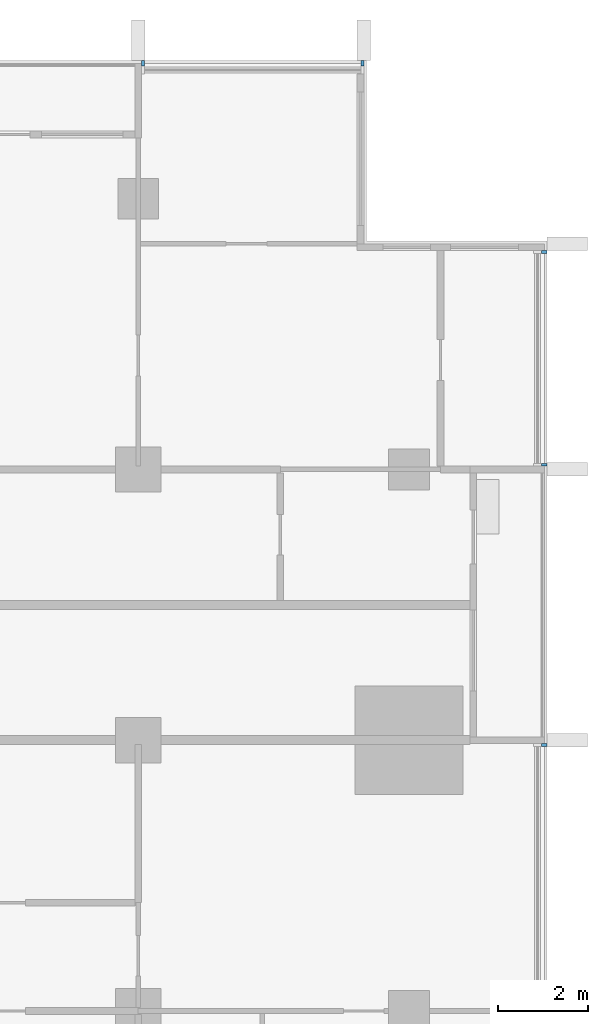
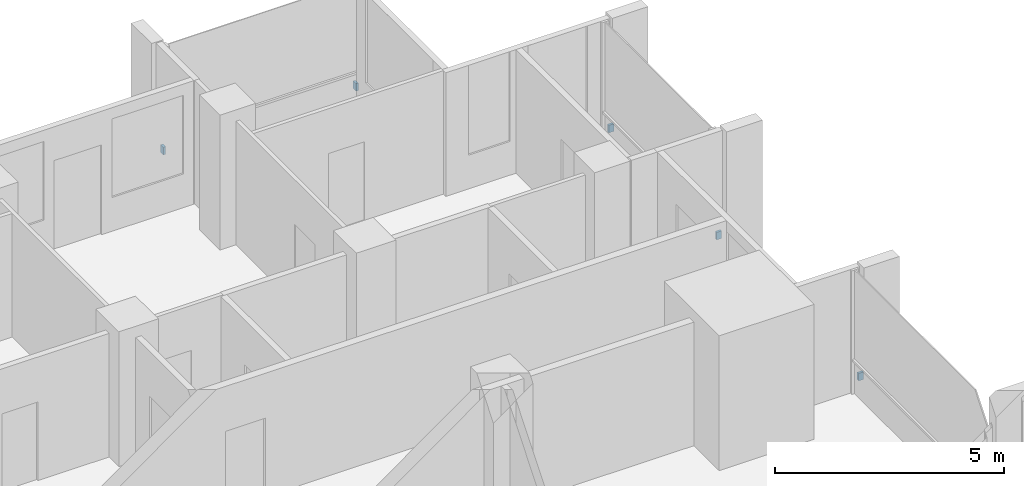
# One storey, part 16 of 17: 5 discrete accessories.
"""IFC4 building model written with IfcOpenShell, lengths in metres."""

from ifc_helpers import new_model, si_unit, direction, frame, origin, origin_2d, place, context, subcontext, project, spatial, rectangle, extrude, material, type_object, element, save


model = new_model("IFC4")

# Units and contexts
model_context = context("Model", 3, precision=1e-05, world=origin(), true_north=direction((0.0, 1.0)))
body_context = subcontext(model_context, "Body", "Model", "MODEL_VIEW")
ifc_project = project(units=[si_unit("LENGTHUNIT", "METRE"), si_unit("AREAUNIT", "SQUARE_METRE"), si_unit("VOLUMEUNIT", "CUBIC_METRE"), si_unit("PLANEANGLEUNIT", "RADIAN"), si_unit("MASSUNIT", "GRAM", prefix="KILO")], contexts=[model_context])

# Site, building, storey
site_placement = place(None, origin())
site = spatial("IfcSite", under=ifc_project, at=site_placement, CompositionType="ELEMENT")
building_placement = place(site_placement, origin())
building = spatial("IfcBuilding", under=site, at=building_placement, Name="Finial Court Residences", CompositionType="ELEMENT")
storey_placement = place(building_placement, frame((0.0, 0.0, 170.89990234375)))
storey = spatial("IfcBuildingStorey", under=building, at=storey_placement, Name="L42", CompositionType="ELEMENT", Elevation=170.89990234375)

# Discrete accessories
ifc_material = material(Name="Stainless steel 316", Category="steel")
discrete_accessory_type = type_object("IfcDiscreteAccessoryType", Name="Fin bracket, stainless steel 60 x 122 x 200", PredefinedType="BRACKET", material=ifc_material)
for number, where, z_axis, x_axis, name in (
    (1, (10.60498046875, 22.498779296875, 0.30029296875), (0.0, 0.0, 1.0), (1.0, 0.0, 0.0), "E-L42-FIN-N5-BRK"),
    (2, (15.469970703125, 22.498779296875, 0.30029296875), (0.0, 0.0, 1.0), (1.0, 0.0, 0.0), "E-L42-FIN-N6-BRK"),
):
    element("IfcDiscreteAccessory", number, at=place(storey_placement, frame(where, z_axis=z_axis, x_axis=x_axis)), inside=storey, type_object=discrete_accessory_type, Name=name, PredefinedType="BRACKET", context=body_context, shape_type="SweptSolid", body=[
        extrude(rectangle(XDim=0.06005859375, YDim=0.12255859375, at=origin_2d()), origin(), (0.0, 0.0, 1.0), 0.199951171875),
    ])
for number, where, z_axis, x_axis, name in (
    (3, (19.498779296875, 7.39501953125, 0.30029296875), (0.0, 0.0, 1.0), (1.0, 0.0, 0.0), "E-L42-FIN-E11-BRK"),
    (4, (19.498779296875, 13.60498046875, 0.30029296875), (0.0, 0.0, 1.0), (1.0, 0.0, 0.0), "E-L42-FIN-E12-BRK"),
    (5, (19.498779296875, 18.320068359375, 0.30029296875), (0.0, 0.0, 1.0), (1.0, 0.0, 0.0), "E-L42-FIN-E13-BRK"),
):
    element("IfcDiscreteAccessory", number, at=place(storey_placement, frame(where, z_axis=z_axis, x_axis=x_axis)), inside=storey, type_object=discrete_accessory_type, Name=name, PredefinedType="BRACKET", context=body_context, shape_type="SweptSolid", body=[
        extrude(rectangle(XDim=0.12255859375, YDim=0.06005859375, at=origin_2d()), origin(), (0.0, 0.0, 1.0), 0.199951171875),
    ])

save(model, "model.ifc")
